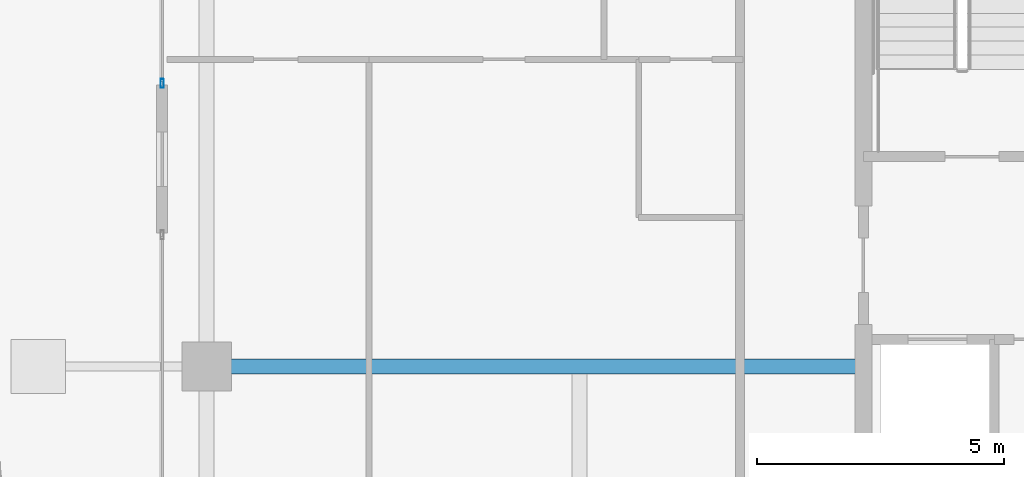
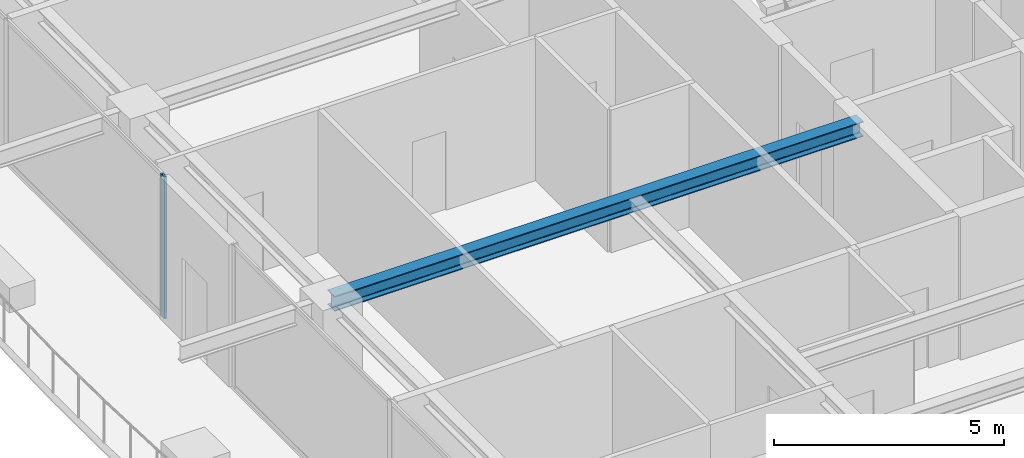
# One storey, part 9 of 37: 1 beam, 1 member, 1 element without a shape of its own.
"""IFC4 building model written with IfcOpenShell, lengths in metres."""

from ifc_helpers import new_model, si_unit, direction, frame, origin, origin_2d, place, context, subcontext, project, spatial, hollow_rectangle, i_section, extrude, source, transform, mapped, material, layer, layer_set, material_profile, profile_set, type_object, element, aggregate, save


model = new_model("IFC4")

# Units and contexts
model_context = context("Model", 3, precision=1e-05, world=origin(), true_north=direction((0.0, 1.0)))
body_context = subcontext(model_context, "Body", "Model", "MODEL_VIEW")
ifc_project = project(units=[si_unit("LENGTHUNIT", "METRE"), si_unit("AREAUNIT", "SQUARE_METRE"), si_unit("VOLUMEUNIT", "CUBIC_METRE"), si_unit("PLANEANGLEUNIT", "RADIAN"), si_unit("MASSUNIT", "GRAM", prefix="KILO")], contexts=[model_context])

# Site, building, storey
site_placement = place(None, origin())
site = spatial("IfcSite", under=ifc_project, at=site_placement, CompositionType="ELEMENT")
building_placement = place(site_placement, origin())
building = spatial("IfcBuilding", under=site, at=building_placement, Name="Serunith Strait Residences", CompositionType="ELEMENT")
storey_placement = place(building_placement, frame((0.0, 0.0, 317.75)))
storey = spatial("IfcBuildingStorey", under=building, at=storey_placement, Name="L79", CompositionType="ELEMENT", Elevation=317.75)

# Beam
ifc_material_1 = material(Name="Steel S355J2", Category="steel")
ifc_material_profile_1 = material_profile(ifc_material_1, i_section(OverallWidth=0.300048828125, OverallDepth=0.39990234375, WebThickness=0.013427734375, FlangeThickness=0.02392578125, FilletRadius=0.027099609375, at=origin_2d()), Name="HEB 400")
ifc_profile_set_1 = profile_set([ifc_material_profile_1], Name="Steel S355J2")
beam_type = type_object("IfcBeamType", Name="BM-HEB400", PredefinedType="BEAM", material=ifc_profile_set_1)
shared_shape_1 = source(origin(), body_context, "Body", "SweptSolid", [
    extrude(i_section(OverallWidth=0.300048828125, OverallDepth=0.39990234375, WebThickness=0.013427734375, FlangeThickness=0.02392578125, FilletRadius=0.027099609375, at=origin_2d()), origin(), (0.0, 0.0, 1.0), 13.2998046875),
])
beam_placement = place(storey_placement, frame((23.39990234375, 21.0, 3.5869140625), z_axis=(-1.0, 0.0, 0.0), x_axis=(0.0, -1.0, 0.0)))
element("IfcBeam", 1, at=beam_placement, inside=storey, type_object=beam_type, Name="L79 Primary Floor Girder TC-W2", PredefinedType="BEAM", context=body_context, shape_type="MappedRepresentation", body=[
    mapped(shared_shape_1, transform((0.0, 0.0, 0.0), scale=1.0)),
])

# Curtain wall, member
ifc_material_2 = material(Name="Brushed Stainless-Silver Aluminium", Category="aluminium")
ifc_layer = layer(ifc_material_2, 0.199951171875, Name="Brushed Stainless-Silver Aluminium")
ifc_layer_set = layer_set([ifc_layer], Name="Brushed Stainless-Silver Aluminium")
curtain_wall_type = type_object("IfcCurtainWallType", Name="CW-SYS5", PredefinedType="NOTDEFINED", material=ifc_layer_set)
curtain_wall_placement = place(storey_placement, origin())
curtain_wall = element("IfcCurtainWall", 2, at=curtain_wall_placement, inside=storey, type_object=curtain_wall_type, Name="L79 W Unitised Fritted Curtain Wall", PredefinedType="NOTDEFINED")
ifc_material_profile_2 = material_profile(ifc_material_2, hollow_rectangle(XDim=0.06494140625, YDim=0.179931640625, WallThickness=0.00341796875, InnerFilletRadius=0.00537109375, OuterFilletRadius=0.0087890625, at=origin_2d()), Name="ALU 180x65x3.5")
ifc_profile_set_2 = profile_set([ifc_material_profile_2], Name="Brushed Stainless-Silver Aluminium")
member_type = type_object("IfcMemberType", Name="CW-SYS5-MULL", PredefinedType="MULLION", material=ifc_profile_set_2)
shared_shape_2 = source(origin(), body_context, "Body", "SweptSolid", [
    extrude(hollow_rectangle(XDim=0.06494140625, YDim=0.179931640625, WallThickness=0.00341796875, InnerFilletRadius=0.00537109375, OuterFilletRadius=0.0087890625, at=origin_2d()), origin(), (0.0, 0.0, 1.0), 3.77490234375),
])
member_placement = place(storey_placement, frame((9.199951171875, 26.732421875, 0.0), z_axis=(0.0, 0.0, 1.0), x_axis=(1.0, 0.0, 0.0)))
member = element("IfcMember", 3, at=member_placement, type_object=member_type, Name="CW-5 mullion 3", PredefinedType="MULLION", context=body_context, shape_type="MappedRepresentation", body=[
    mapped(shared_shape_2, transform((0.0, 0.0, 0.0), scale=1.0)),
])
aggregate(curtain_wall, [member])

save(model, "model.ifc")
